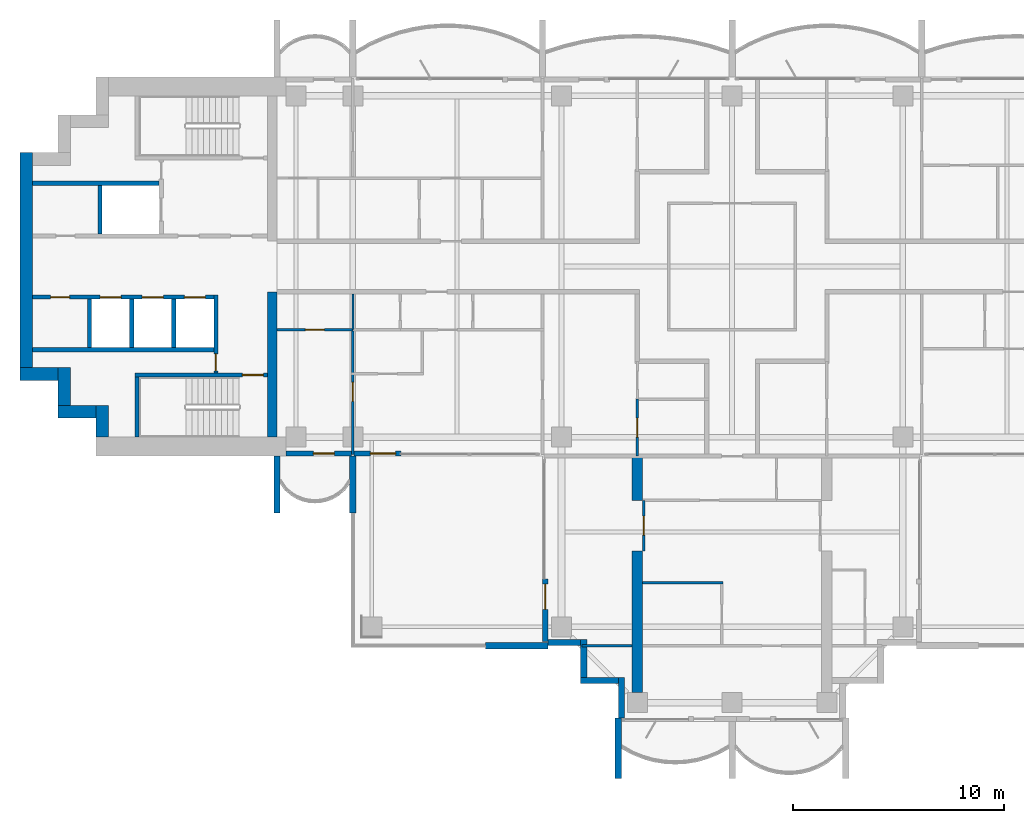
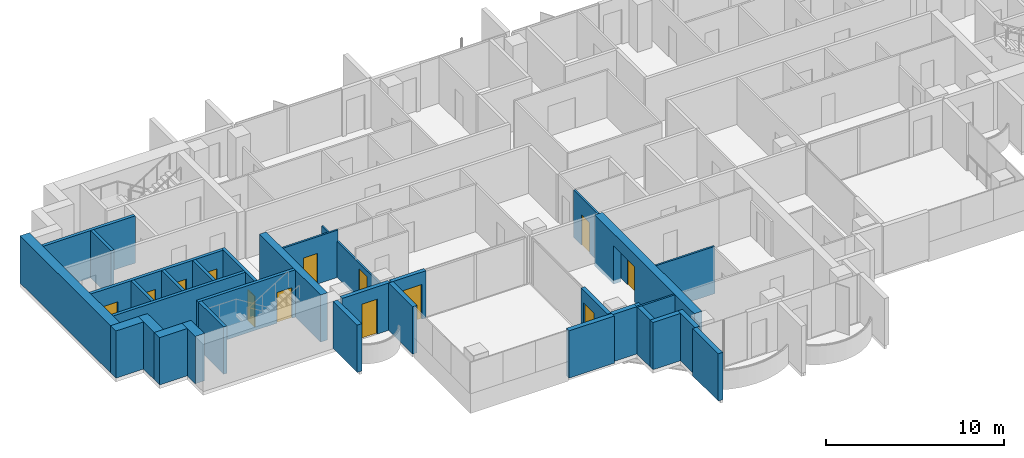
# One storey, part 8 of 17: 35 walls, 13 doors, 13 openings.
"""IFC4 building model written with IfcOpenShell, lengths in metres."""

from ifc_helpers import new_model, si_unit, direction, frame, frame_2d, origin, place, context, subcontext, project, spatial, polyline, rectangle, outline, extrude, material, layer, layer_set, material_profile, profile_set, type_object, element, fill, save


model = new_model("IFC4")

# Units and contexts
model_context = context("Model", 3, precision=1e-05, world=origin(), true_north=direction((0.0, 1.0)))
body_context = subcontext(model_context, "Body", "Model", "MODEL_VIEW")
ifc_project = project(units=[si_unit("LENGTHUNIT", "METRE"), si_unit("AREAUNIT", "SQUARE_METRE"), si_unit("VOLUMEUNIT", "CUBIC_METRE"), si_unit("PLANEANGLEUNIT", "RADIAN"), si_unit("MASSUNIT", "GRAM", prefix="KILO")], contexts=[model_context])

# Site, building, storey
site_placement = place(None, origin())
site = spatial("IfcSite", under=ifc_project, at=site_placement, CompositionType="ELEMENT")
building_placement = place(site_placement, origin())
building = spatial("IfcBuilding", under=site, at=building_placement, Name="Perihelion Cross Residences", CompositionType="ELEMENT")
storey_placement = place(building_placement, frame((0.0, 0.0, 201.60009765625)))
storey = spatial("IfcBuildingStorey", under=building, at=storey_placement, Name="L50", CompositionType="ELEMENT", Elevation=201.60009765625)

# Wall, opening, door
ifc_material_1 = material(Name="Concrete C30/37, bronze-clad", Category="concrete")
ifc_layer_1 = layer(ifc_material_1, 0.25)
ifc_layer_set_1 = layer_set([ifc_layer_1], Name="Bronze-clad pier wall 250")
wall_type_1 = type_object("IfcWallType", Name="Bronze-clad pier wall 250", PredefinedType="SOLIDWALL", material=ifc_layer_set_1)
wall_1_placement = place(storey_placement, frame((-21.175048828125, -8.875, 0.0), z_axis=(0.0, 0.0, 1.0), x_axis=(1.0, 0.0, 0.0)))
wall_1 = element("IfcWall", 1, at=wall_1_placement, inside=storey, type_object=wall_type_1, Name="Wall FW1 L50 west side south bay 1 pier", PredefinedType="SOLIDWALL", context=body_context, shape_type="SweptSolid", body=[
    extrude(rectangle(XDim=3.114990234375, YDim=0.25, at=frame_2d((1.5576171875, 0.0))), origin(), (0.0, 0.0, 1.0), 3.25),
])
opening_1_placement = place(wall_1_placement, frame((1.300048828125, 0.0, 0.0)))
opening_1 = element("IfcOpeningElement", 2, at=opening_1_placement, cuts=wall_1, Name="Opening L50.E07", PredefinedType="OPENING", context=body_context, shape_type="SweptSolid", body=[
    extrude(rectangle(XDim=1.0, YDim=2.39990234375, at=frame_2d((0.5, 1.199951171875))), frame((0.0, 0.135009765625, 0.0), z_axis=(0.0, -1.0, 0.0), x_axis=(1.0, 0.0, 0.0)), (0.0, 0.0, 1.0), 0.27001953125),
])
ifc_material_2 = material(Name="Bronze anodised aluminium, glazed", Category="aluminium")
door_type_1 = type_object("IfcDoorType", Name="Balcony door 1000 x 2400", OperationType="NOTDEFINED", PredefinedType="DOOR", material=ifc_material_2)
door_1_placement = place(opening_1_placement, origin())
door_1 = element("IfcDoor", 3, at=door_1_placement, inside=storey, type_object=door_type_1, Name="Door L50.E07 west side south bay 1", OperationType="SINGLE_SWING_LEFT", OverallHeight=2.39990234375, OverallWidth=1.0, PredefinedType="DOOR", context=body_context, shape_type="SweptSolid", body=[
    extrude(rectangle(XDim=1.0, YDim=2.39990234375, at=frame_2d((0.5, 1.199951171875))), frame((0.0, 0.02490234375, 0.0), z_axis=(0.0, -1.0, 0.0), x_axis=(1.0, 0.0, 0.0)), (0.0, 0.0, 1.0), 0.050048828125),
])
fill(opening_1, door_1)

wall_2_placement = place(storey_placement, frame((-17.93994140625, -8.875, 0.0), z_axis=(0.0, 0.0, 1.0), x_axis=(1.0, 0.0, 0.0)))
wall_2 = element("IfcWall", 4, at=wall_2_placement, inside=storey, type_object=wall_type_1, Name="Wall FW1 L50 west side south bay 2 pier", PredefinedType="SOLIDWALL", context=body_context, shape_type="SweptSolid", body=[
    extrude(rectangle(XDim=2.21484375, YDim=0.25, at=frame_2d((1.107421875, 0.0))), origin(), (0.0, 0.0, 1.0), 3.25),
])
opening_2_placement = place(wall_2_placement, frame((0.764892578125, 0.0, 0.0)))
opening_2 = element("IfcOpeningElement", 5, at=opening_2_placement, cuts=wall_2, Name="Opening L50.E08", PredefinedType="OPENING", context=body_context, shape_type="SweptSolid", body=[
    extrude(rectangle(XDim=1.199951171875, YDim=2.39990234375, at=frame_2d((0.60009765625, 1.199951171875))), frame((0.0, 0.135009765625, 0.0), z_axis=(0.0, -1.0, 0.0), x_axis=(1.0, 0.0, 0.0)), (0.0, 0.0, 1.0), 0.27001953125),
])
ifc_material_3 = material(Name="Bronze anodised aluminium, glazed", Category="aluminium")
door_type_2 = type_object("IfcDoorType", Name="Balcony door 1200 x 2400", OperationType="NOTDEFINED", PredefinedType="DOOR", material=ifc_material_3)
door_2_placement = place(opening_2_placement, origin())
door_2 = element("IfcDoor", 6, at=door_2_placement, inside=storey, type_object=door_type_2, Name="Door L50.E08 west side south bay 2", OperationType="SINGLE_SWING_RIGHT", OverallHeight=2.39990234375, OverallWidth=1.199951171875, PredefinedType="DOOR", context=body_context, shape_type="SweptSolid", body=[
    extrude(rectangle(XDim=1.199951171875, YDim=2.39990234375, at=frame_2d((0.60009765625, 1.199951171875))), frame((0.0, 0.02490234375, 0.0), z_axis=(0.0, -1.0, 0.0), x_axis=(1.0, 0.0, 0.0)), (0.0, 0.0, 1.0), 0.050048828125),
])
fill(opening_2, door_2)

wall_3_placement = place(storey_placement, frame((-8.875, -14.824951171875, 0.0), z_axis=(0.0, 0.0, 1.0), x_axis=(0.0, -1.0, 0.0)))
wall_3 = element("IfcWall", 7, at=wall_3_placement, inside=storey, type_object=wall_type_1, Name="Wall FW1 L50 south side west bay 1 pier", PredefinedType="SOLIDWALL", context=body_context, shape_type="SweptSolid", body=[
    extrude(rectangle(XDim=2.97509765625, YDim=0.25, at=frame_2d((1.487548828125, 0.0))), origin(), (0.0, 0.0, 1.0), 3.25),
])
opening_3_placement = place(wall_3_placement, frame((0.25, 0.0, 0.0)))
opening_3 = element("IfcOpeningElement", 8, at=opening_3_placement, cuts=wall_3, Name="Opening L50.E09", PredefinedType="OPENING", context=body_context, shape_type="SweptSolid", body=[
    extrude(rectangle(XDim=1.199951171875, YDim=2.39990234375, at=frame_2d((0.60009765625, 1.199951171875))), frame((0.0, 0.135009765625, 0.0), z_axis=(0.0, -1.0, 0.0), x_axis=(1.0, 0.0, 0.0)), (0.0, 0.0, 1.0), 0.27001953125),
])
door_3_placement = place(opening_3_placement, origin())
door_3 = element("IfcDoor", 9, at=door_3_placement, inside=storey, type_object=door_type_2, Name="Door L50.E09 south side west bay 1", OperationType="SINGLE_SWING_LEFT", OverallHeight=2.39990234375, OverallWidth=1.199951171875, PredefinedType="DOOR", context=body_context, shape_type="SweptSolid", body=[
    extrude(rectangle(XDim=1.199951171875, YDim=2.39990234375, at=frame_2d((0.60009765625, 1.199951171875))), frame((0.0, 0.02490234375, 0.0), z_axis=(0.0, -1.0, 0.0), x_axis=(1.0, 0.0, 0.0)), (0.0, 0.0, 1.0), 0.050048828125),
])
fill(opening_3, door_3)

# Walls
ifc_material_4 = material(Name="Concrete C30/37, bronze-clad", Category="concrete")
ifc_layer_2 = layer(ifc_material_4, 0.300048828125)
ifc_layer_set_2 = layer_set([ifc_layer_2], Name="Bronze-clad serration wall 300")
wall_type_2 = type_object("IfcWallType", Name="Bronze-clad serration wall 300", PredefinedType="SOLIDWALL", material=ifc_layer_set_2)
wall_4_placement = place(storey_placement, frame((-8.75, -17.85009765625, 0.0), z_axis=(0.0, 0.0, 1.0), x_axis=(1.0, 0.0, 0.0)))
element("IfcWall", 10, at=wall_4_placement, inside=storey, type_object=wall_type_2, Name="Wall SR1 L50 south corner south-west 1", PredefinedType="SOLIDWALL", context=body_context, shape_type="SweptSolid", body=[
    extrude(rectangle(XDim=1.550048828125, YDim=0.300048828125, at=frame_2d((0.77490234375, 0.0))), origin(), (0.0, 0.0, 1.0), 3.25),
])
for number, where, z_axis, x_axis, name in (
    (11, (-7.050048828125, -17.699951171875, 0.0), (0.0, 0.0, 1.0), (0.0, -1.0, 0.0), "Wall SR1 L50 south corner south-west 2"),
    (12, (-7.199951171875, -19.64990234375, 0.0), (0.0, 0.0, 1.0), (1.0, 0.0, 0.0), "Wall SR1 L50 south corner south-west 3"),
):
    element("IfcWall", number, at=place(storey_placement, frame(where, z_axis=z_axis, x_axis=x_axis)), inside=storey, type_object=wall_type_2, Name=name, PredefinedType="SOLIDWALL", context=body_context, shape_type="SweptSolid", body=[
        extrude(rectangle(XDim=1.800048828125, YDim=0.300048828125, at=frame_2d((0.89990234375, 0.0))), origin(), (0.0, 0.0, 1.0), 3.25),
    ])
wall_5_placement = place(storey_placement, frame((-5.25, -19.5, 0.0), z_axis=(0.0, 0.0, 1.0), x_axis=(0.0, -1.0, 0.0)))
element("IfcWall", 13, at=wall_5_placement, inside=storey, type_object=wall_type_2, Name="Wall SR1 L50 south corner south-west 4", PredefinedType="SOLIDWALL", context=body_context, shape_type="SweptSolid", body=[
    extrude(rectangle(XDim=1.919921875, YDim=0.300048828125, at=frame_2d((0.9599609375, 0.0))), origin(), (0.0, 0.0, 1.0), 3.25),
])
ifc_material_5 = material(Name="Concrete C60/75", Category="concrete")
ifc_layer_3 = layer(ifc_material_5, 0.449951171875)
ifc_layer_set_3 = layer_set([ifc_layer_3], Name="Core wall, inner 450")
wall_type_3 = type_object("IfcWallType", Name="Core wall, inner 450", PredefinedType="SHEAR", material=ifc_layer_set_3)
wall_6_placement = place(storey_placement, frame((-21.824951171875, -8.10009765625, 0.0), z_axis=(0.0, 0.0, 1.0), x_axis=(0.0, 1.0, 0.0)))
element("IfcWall", 14, at=wall_6_placement, inside=storey, type_object=wall_type_3, Name="West core core wall, inner", PredefinedType="SHEAR", context=body_context, shape_type="SweptSolid", body=[
    extrude(rectangle(XDim=6.900146484375, YDim=0.449951171875, at=frame_2d((3.4501953125, 0.0))), origin(), (0.0, 0.0, 1.0), 3.25),
])
ifc_material_6 = material(Name="Concrete C60/75", Category="concrete")
ifc_layer_4 = layer(ifc_material_6, 0.60009765625)
ifc_layer_set_4 = layer_set([ifc_layer_4], Name="Core wall, outer 600")
wall_type_4 = type_object("IfcWallType", Name="Core wall, outer 600", PredefinedType="SHEAR", material=ifc_layer_set_4)
wall_7_placement = place(storey_placement, frame((-29.89990234375, -8.10009765625, 0.0), z_axis=(0.0, 0.0, 1.0), x_axis=(0.0, 1.0, 0.0)))
element("IfcWall", 15, at=wall_7_placement, inside=storey, type_object=wall_type_4, Name="West core core wall, outer", PredefinedType="SHEAR", context=body_context, shape_type="SweptSolid", body=[
    extrude(rectangle(XDim=1.5, YDim=0.60009765625, at=frame_2d((0.75, 0.0))), origin(), (0.0, 0.0, 1.0), 3.25),
])
for number, where, z_axis, x_axis, name in (
    (16, (-32.0, -6.89990234375, 0.0), (0.0, 0.0, 1.0), (1.0, 0.0, 0.0), "West core core wall, outer"),
    (17, (-31.699951171875, -6.60009765625, 0.0), (0.0, 0.0, 1.0), (0.0, 1.0, 0.0), "West core core wall, outer"),
    (18, (-33.800048828125, -5.10009765625, 0.0), (0.0, 0.0, 1.0), (1.0, 0.0, 0.0), "West core core wall, outer"),
):
    element("IfcWall", number, at=place(storey_placement, frame(where, z_axis=z_axis, x_axis=x_axis)), inside=storey, type_object=wall_type_4, Name=name, PredefinedType="SHEAR", context=body_context, shape_type="SweptSolid", body=[
        extrude(rectangle(XDim=1.800048828125, YDim=0.60009765625, at=frame_2d((0.89990234375, 0.0))), origin(), (0.0, 0.0, 1.0), 3.25),
    ])
wall_8_placement = place(storey_placement, frame((-33.5, -4.800048828125, 0.0), z_axis=(0.0, 0.0, 1.0), x_axis=(0.0, 1.0, 0.0)))
element("IfcWall", 19, at=wall_8_placement, inside=storey, type_object=wall_type_4, Name="West core core wall, outer", PredefinedType="SHEAR", context=body_context, shape_type="SweptSolid", body=[
    extrude(rectangle(XDim=10.199951171875, YDim=0.60009765625, at=frame_2d((5.10009765625, 0.0))), origin(), (0.0, 0.0, 1.0), 3.25),
])

# Wall, opening, door
ifc_material_7 = material(Name="Plasterboard partition")
ifc_layer_5 = layer(ifc_material_7, 0.1201171875)
ifc_layer_set_5 = layer_set([ifc_layer_5], Name="Infill panel 120")
wall_type_5 = type_object("IfcWallType", Name="Infill panel 120", PredefinedType="PARTITIONING", material=ifc_layer_set_5)
wall_9_placement = place(storey_placement, frame((-4.18994140625, -11.10009765625, 0.0), z_axis=(0.0, 0.0, 1.0), x_axis=(0.0, -1.0, 0.0)))
wall_9 = element("IfcWall", 20, at=wall_9_placement, inside=storey, type_object=wall_type_5, Name="Partition L50 WI02", PredefinedType="PARTITIONING", context=body_context, shape_type="SweptSolid", body=[
    extrude(rectangle(XDim=2.39990234375, YDim=0.1201171875, at=frame_2d((1.199951171875, 0.0))), origin(), (0.0, 0.0, 1.0), 2.39990234375),
])
opening_4_placement = place(wall_9_placement, frame((0.75, 0.0, 0.0)))
opening_4 = element("IfcOpeningElement", 21, at=opening_4_placement, cuts=wall_9, Name="Opening L50.A43", PredefinedType="OPENING", context=body_context, shape_type="SweptSolid", body=[
    extrude(rectangle(XDim=0.89990234375, YDim=2.10009765625, at=frame_2d((0.449951171875, 1.050048828125))), frame((0.0, 0.070068359375, 0.0), z_axis=(0.0, -1.0, 0.0), x_axis=(1.0, 0.0, 0.0)), (0.0, 0.0, 1.0), 0.14013671875),
])
ifc_material_8 = material(Name="Timber door leaf", Category="wood")
door_type_3 = type_object("IfcDoorType", Name="Interior room door 900 x 2100", OperationType="SINGLE_SWING_LEFT", PredefinedType="DOOR", material=ifc_material_8)
door_4_placement = place(opening_4_placement, origin())
door_4 = element("IfcDoor", 22, at=door_4_placement, inside=storey, type_object=door_type_3, Name="Door L50.A43", OperationType="SINGLE_SWING_LEFT", OverallHeight=2.10009765625, OverallWidth=0.89990234375, PredefinedType="DOOR", context=body_context, shape_type="SweptSolid", body=[
    extrude(rectangle(XDim=0.89990234375, YDim=2.10009765625, at=frame_2d((0.449951171875, 1.050048828125))), frame((0.0, 0.02490234375, 0.0), z_axis=(0.0, -1.0, 0.0), x_axis=(1.0, 0.0, 0.0)), (0.0, 0.0, 1.0), 0.050048828125),
])
fill(opening_4, door_4)

ifc_material_9 = material(Name="Concrete C50/60", Category="concrete")
ifc_layer_6 = layer(ifc_material_9, 0.199951171875)
ifc_layer_set_6 = layer_set([ifc_layer_6], Name="Lobby wall 200")
wall_type_6 = type_object("IfcWallType", Name="Lobby wall 200", PredefinedType="SOLIDWALL", material=ifc_layer_set_6)
wall_10_placement = place(storey_placement, frame((-24.5, -5.050048828125, 0.0), z_axis=(0.0, 0.0, 1.0), x_axis=(0.0, 1.0, 0.0)))
wall_10 = element("IfcWall", 23, at=wall_10_placement, inside=storey, type_object=wall_type_6, Name="West core lobby wall", PredefinedType="SOLIDWALL", context=body_context, shape_type="SweptSolid", body=[
    extrude(rectangle(XDim=3.699951171875, YDim=0.199951171875, at=frame_2d((1.85009765625, 0.0))), origin(), (0.0, 0.0, 1.0), 3.25),
])
opening_5_placement = place(wall_10_placement, frame((0.10009765625, 0.0, 0.0)))
opening_5 = element("IfcOpeningElement", 24, at=opening_5_placement, cuts=wall_10, Name="Opening L50.C20", PredefinedType="OPENING", context=body_context, shape_type="SweptSolid", body=[
    extrude(rectangle(XDim=0.800048828125, YDim=2.10009765625, at=frame_2d((0.39990234375, 1.050048828125))), frame((0.0, 0.10986328125, 0.0), z_axis=(0.0, -1.0, 0.0), x_axis=(1.0, 0.0, 0.0)), (0.0, 0.0, 1.0), 0.219970703125),
])
ifc_material_10 = material(Name="Steel, powder coated", Category="steel")
door_type_4 = type_object("IfcDoorType", Name="Riser door 800", OperationType="SINGLE_SWING_LEFT", PredefinedType="DOOR", material=ifc_material_10)
door_5_placement = place(opening_5_placement, origin())
door_5 = element("IfcDoor", 25, at=door_5_placement, inside=storey, type_object=door_type_4, Name="West core riser door", OperationType="SINGLE_SWING_LEFT", OverallHeight=2.10009765625, OverallWidth=0.800048828125, PredefinedType="DOOR", context=body_context, shape_type="SweptSolid", body=[
    extrude(rectangle(XDim=0.800048828125, YDim=2.10009765625, at=frame_2d((0.39990234375, 1.050048828125))), frame((0.0, 0.02490234375, 0.0), z_axis=(0.0, -1.0, 0.0), x_axis=(1.0, 0.0, 0.0)), (0.0, 0.0, 1.0), 0.050048828125),
])
fill(opening_5, door_5)

ifc_material_11 = material(Name="Plasterboard partition")
ifc_layer_7 = layer(ifc_material_11, 0.1201171875)
ifc_layer_set_7 = layer_set([ifc_layer_7], Name="Partition wall 120")
wall_type_7 = type_object("IfcWallType", Name="Partition wall 120", PredefinedType="PARTITIONING", material=ifc_layer_set_7)
wall_11_placement = place(storey_placement, frame((-18.0, -3.0, 0.0), z_axis=(0.0, 0.0, 1.0), x_axis=(-1.0, 0.0, 0.0)))
wall_11 = element("IfcWall", 26, at=wall_11_placement, inside=storey, type_object=wall_type_7, Name="Partition L50 W052", PredefinedType="PARTITIONING", context=body_context, shape_type="SweptSolid", body=[
    extrude(rectangle(XDim=3.60009765625, YDim=0.1201171875, at=frame_2d((1.800048828125, 0.0))), origin(), (0.0, 0.0, 1.0), 3.25),
])
opening_6_placement = place(wall_11_placement, frame((1.35009765625, 0.0, 0.0)))
opening_6 = element("IfcOpeningElement", 27, at=opening_6_placement, cuts=wall_11, Name="Opening L50.A29", PredefinedType="OPENING", context=body_context, shape_type="SweptSolid", body=[
    extrude(rectangle(XDim=0.89990234375, YDim=2.10009765625, at=frame_2d((0.449951171875, 1.050048828125))), frame((0.0, 0.070068359375, 0.0), z_axis=(0.0, -1.0, 0.0), x_axis=(1.0, 0.0, 0.0)), (0.0, 0.0, 1.0), 0.14013671875),
])
door_6_placement = place(opening_6_placement, origin())
door_6 = element("IfcDoor", 28, at=door_6_placement, inside=storey, type_object=door_type_3, Name="Door L50.A29", OperationType="SINGLE_SWING_LEFT", OverallHeight=2.10009765625, OverallWidth=0.89990234375, PredefinedType="DOOR", context=body_context, shape_type="SweptSolid", body=[
    extrude(rectangle(XDim=0.89990234375, YDim=2.10009765625, at=frame_2d((0.449951171875, 1.050048828125))), frame((0.0, 0.02490234375, 0.0), z_axis=(0.0, -1.0, 0.0), x_axis=(1.0, 0.0, 0.0)), (0.0, 0.0, 1.0), 0.050048828125),
])
fill(opening_6, door_6)

wall_12_placement = place(storey_placement, frame((-18.0, -8.919921875, 0.0), z_axis=(0.0, 0.0, 1.0), x_axis=(0.0, 1.0, 0.0)))
wall_12 = element("IfcWall", 29, at=wall_12_placement, inside=storey, type_object=wall_type_7, Name="Partition L50 W055", PredefinedType="PARTITIONING", context=body_context, shape_type="SweptSolid", body=[
    extrude(rectangle(XDim=5.919921875, YDim=0.1201171875, at=frame_2d((2.9599609375, 0.0))), origin(), (0.0, 0.0, 1.0), 2.47998046875),
])
opening_7_placement = place(wall_12_placement, frame((2.52001953125, 0.0, 0.0)))
opening_7 = element("IfcOpeningElement", 30, at=opening_7_placement, cuts=wall_12, Name="Opening L50.A23", PredefinedType="OPENING", context=body_context, shape_type="SweptSolid", body=[
    extrude(rectangle(XDim=0.89990234375, YDim=2.10009765625, at=frame_2d((0.449951171875, 1.050048828125))), frame((0.0, 0.070068359375, 0.0), z_axis=(0.0, -1.0, 0.0), x_axis=(1.0, 0.0, 0.0)), (0.0, 0.0, 1.0), 0.14013671875),
])
door_7_placement = place(opening_7_placement, origin())
door_7 = element("IfcDoor", 31, at=door_7_placement, inside=storey, type_object=door_type_3, Name="Door L50.A23", OperationType="SINGLE_SWING_RIGHT", OverallHeight=2.10009765625, OverallWidth=0.89990234375, PredefinedType="DOOR", context=body_context, shape_type="SweptSolid", body=[
    extrude(rectangle(XDim=0.89990234375, YDim=2.10009765625, at=frame_2d((0.449951171875, 1.050048828125))), frame((0.0, 0.02490234375, 0.0), z_axis=(0.0, -1.0, 0.0), x_axis=(1.0, 0.0, 0.0)), (0.0, 0.0, 1.0), 0.050048828125),
])
fill(opening_7, door_7)

wall_13_placement = place(storey_placement, frame((-4.5, -6.300048828125, 0.0), z_axis=(0.0, 0.0, 1.0), x_axis=(0.0, -1.0, 0.0)))
wall_13 = element("IfcWall", 32, at=wall_13_placement, inside=storey, type_object=wall_type_7, Name="Partition L50 W057", PredefinedType="PARTITIONING", context=body_context, shape_type="SweptSolid", body=[
    extrude(rectangle(XDim=2.699951171875, YDim=0.1201171875, at=frame_2d((1.35009765625, 0.0))), origin(), (0.0, 0.0, 1.0), 3.25),
])
opening_8_placement = place(wall_13_placement, frame((0.89990234375, 0.0, 0.0)))
opening_8 = element("IfcOpeningElement", 33, at=opening_8_placement, cuts=wall_13, Name="Opening L50.A28", PredefinedType="OPENING", context=body_context, shape_type="SweptSolid", body=[
    extrude(rectangle(XDim=0.89990234375, YDim=2.10009765625, at=frame_2d((0.449951171875, 1.050048828125))), frame((0.0, 0.070068359375, 0.0), z_axis=(0.0, -1.0, 0.0), x_axis=(1.0, 0.0, 0.0)), (0.0, 0.0, 1.0), 0.14013671875),
])
door_8_placement = place(opening_8_placement, origin())
door_8 = element("IfcDoor", 34, at=door_8_placement, inside=storey, type_object=door_type_3, Name="Door L50.A28", OperationType="SINGLE_SWING_LEFT", OverallHeight=2.10009765625, OverallWidth=0.89990234375, PredefinedType="DOOR", context=body_context, shape_type="SweptSolid", body=[
    extrude(rectangle(XDim=0.89990234375, YDim=2.10009765625, at=frame_2d((0.449951171875, 1.050048828125))), frame((0.0, 0.02490234375, 0.0), z_axis=(0.0, -1.0, 0.0), x_axis=(1.0, 0.0, 0.0)), (0.0, 0.0, 1.0), 0.050048828125),
])
fill(opening_8, door_8)

# Walls
wall_14_placement = place(storey_placement, frame((-0.43994140625, -15.0, 0.0), z_axis=(0.0, 0.0, 1.0), x_axis=(-1.0, 0.0, 0.0)))
element("IfcWall", 35, at=wall_14_placement, inside=storey, type_object=wall_type_7, Name="Partition L50 W063", PredefinedType="PARTITIONING", context=body_context, shape_type="SweptSolid", body=[
    extrude(rectangle(XDim=3.81005859375, YDim=0.1201171875, at=frame_2d((1.905029296875, 0.0))), origin(), (0.0, 0.0, 1.0), 3.25),
])
wall_15_placement = place(storey_placement, frame((-4.75, -18.0, 0.0), z_axis=(0.0, 0.0, 1.0), x_axis=(-1.0, 0.0, 0.0)))
element("IfcWall", 36, at=wall_15_placement, inside=storey, type_object=wall_type_7, Name="Partition L50 W069", PredefinedType="PARTITIONING", context=body_context, shape_type="SweptSolid", body=[
    extrude(rectangle(XDim=2.3701171875, YDim=0.1201171875, at=frame_2d((1.18505859375, 0.0))), origin(), (0.0, 0.0, 1.0), 3.25),
])
ifc_material_12 = material(Name="Precast concrete C50/60", Category="concrete")
ifc_layer_8 = layer(ifc_material_12, 0.300048828125)
ifc_layer_set_8 = layer_set([ifc_layer_8], Name="Precast concrete C50/60 blade wall 300")
wall_type_8 = type_object("IfcWallType", Name="Precast concrete C50/60 blade wall 300", PredefinedType="SOLIDWALL", material=ifc_layer_set_8)
for number, where, z_axis, x_axis, name in (
    (37, (-21.60009765625, -9.0, 0.0), (0.0, 0.0, 1.0), (0.0, -1.0, 0.0), "Wall BL1 L50 no. 3"),
    (38, (-18.0, -9.0, 0.0), (0.0, 0.0, 1.0), (0.0, -1.0, 0.0), "Wall BL1 L50 no. 1"),
):
    element("IfcWall", number, at=place(storey_placement, frame(where, z_axis=z_axis, x_axis=x_axis)), inside=storey, type_object=wall_type_8, Name=name, PredefinedType="SOLIDWALL", context=body_context, shape_type="SweptSolid", body=[
        extrude(rectangle(XDim=2.699951171875, YDim=0.300048828125, at=frame_2d((1.35009765625, 0.0))), origin(), (0.0, 0.0, 1.0), 3.25),
    ])
wall_16_placement = place(storey_placement, frame((-8.75, -18.0, 0.0), z_axis=(0.0, 0.0, 1.0), x_axis=(-1.0, 0.0, 0.0)))
element("IfcWall", 39, at=wall_16_placement, inside=storey, type_object=wall_type_8, Name="Wall BL1 L50 no. 6", PredefinedType="SOLIDWALL", context=body_context, shape_type="SweptSolid", body=[
    extrude(rectangle(XDim=2.949951171875, YDim=0.300048828125, at=frame_2d((1.47509765625, 0.0))), origin(), (0.0, 0.0, 1.0), 3.25),
])
wall_17_placement = place(storey_placement, frame((-5.39990234375, -21.419921875, 0.0), z_axis=(0.0, 0.0, 1.0), x_axis=(0.0, -1.0, 0.0)))
element("IfcWall", 40, at=wall_17_placement, inside=storey, type_object=wall_type_8, Name="Wall BL1 L50 no. 5", PredefinedType="SOLIDWALL", context=body_context, shape_type="SweptSolid", body=[
    extrude(rectangle(XDim=2.880126953125, YDim=0.300048828125, at=frame_2d((1.43994140625, 0.0))), origin(), (0.0, 0.0, 1.0), 3.25),
])

# Wall, openings, doors
ifc_material_13 = material(Name="Concrete C50/60", Category="concrete")
ifc_layer_9 = layer(ifc_material_13, 0.199951171875)
ifc_layer_set_9 = layer_set([ifc_layer_9], Name="Shaft wall 200")
wall_type_9 = type_object("IfcWallType", Name="Shaft wall 200", PredefinedType="SOLIDWALL", material=ifc_layer_set_9)
wall_18_placement = place(storey_placement, frame((-33.199951171875, -1.449951171875, 0.0), z_axis=(0.0, 0.0, 1.0), x_axis=(1.0, 0.0, 0.0)))
wall_18 = element("IfcWall", 41, at=wall_18_placement, inside=storey, type_object=wall_type_9, Name="West core shaft wall", PredefinedType="SOLIDWALL", context=body_context, shape_type="SweptSolid", body=[
    extrude(rectangle(XDim=8.599853515625, YDim=0.199951171875, at=frame_2d((4.2998046875, 0.0))), origin(), (0.0, 0.0, 1.0), 3.25),
])
opening_9_placement = place(wall_18_placement, frame((7.199951171875, 0.0, 0.0)))
opening_9 = element("IfcOpeningElement", 42, at=opening_9_placement, cuts=wall_18, Name="Opening L50.C13", PredefinedType="OPENING", context=body_context, shape_type="SweptSolid", body=[
    extrude(rectangle(XDim=1.0, YDim=2.10009765625, at=frame_2d((0.5, 1.050048828125))), frame((0.0, 0.10986328125, 0.0), z_axis=(0.0, -1.0, 0.0), x_axis=(1.0, 0.0, 0.0)), (0.0, 0.0, 1.0), 0.219970703125),
])
opening_10_placement = place(wall_18_placement, frame((5.199951171875, 0.0, 0.0)))
opening_10 = element("IfcOpeningElement", 43, at=opening_10_placement, cuts=wall_18, Name="Opening L50.C15", PredefinedType="OPENING", context=body_context, shape_type="SweptSolid", body=[
    extrude(rectangle(XDim=1.0, YDim=2.10009765625, at=frame_2d((0.5, 1.050048828125))), frame((0.0, 0.10986328125, 0.0), z_axis=(0.0, -1.0, 0.0), x_axis=(1.0, 0.0, 0.0)), (0.0, 0.0, 1.0), 0.219970703125),
])
opening_11_placement = place(wall_18_placement, frame((3.199951171875, 0.0, 0.0)))
opening_11 = element("IfcOpeningElement", 44, at=opening_11_placement, cuts=wall_18, Name="Opening L50.C16", PredefinedType="OPENING", context=body_context, shape_type="SweptSolid", body=[
    extrude(rectangle(XDim=1.0, YDim=2.10009765625, at=frame_2d((0.5, 1.050048828125))), frame((0.0, 0.10986328125, 0.0), z_axis=(0.0, -1.0, 0.0), x_axis=(1.0, 0.0, 0.0)), (0.0, 0.0, 1.0), 0.219970703125),
])
opening_12_placement = place(wall_18_placement, frame((0.85009765625, 0.0, 0.0)))
opening_12 = element("IfcOpeningElement", 45, at=opening_12_placement, cuts=wall_18, Name="Opening L50.C24", PredefinedType="OPENING", context=body_context, shape_type="SweptSolid", body=[
    extrude(rectangle(XDim=0.89990234375, YDim=2.10009765625, at=frame_2d((0.449951171875, 1.050048828125))), frame((0.0, 0.10986328125, 0.0), z_axis=(0.0, -1.0, 0.0), x_axis=(1.0, 0.0, 0.0)), (0.0, 0.0, 1.0), 0.219970703125),
])
ifc_material_14 = material(Name="Stainless steel", Category="steel")
door_type_5 = type_object("IfcDoorType", Name="Landing door 1000", OperationType="DOUBLE_DOOR_SLIDING", PredefinedType="DOOR", material=ifc_material_14)
door_9_placement = place(opening_9_placement, origin())
door_9 = element("IfcDoor", 46, at=door_9_placement, inside=storey, type_object=door_type_5, Name="Landing door, West core high-rise lift 1", OperationType="DOUBLE_DOOR_SLIDING", OverallHeight=2.10009765625, OverallWidth=1.0, PredefinedType="DOOR", context=body_context, shape_type="SweptSolid", body=[
    extrude(rectangle(XDim=1.0, YDim=2.10009765625, at=frame_2d((0.5, 1.050048828125))), frame((0.0, 0.02490234375, 0.0), z_axis=(0.0, -1.0, 0.0), x_axis=(1.0, 0.0, 0.0)), (0.0, 0.0, 1.0), 0.050048828125),
])
fill(opening_9, door_9)
door_10_placement = place(opening_10_placement, origin())
door_10 = element("IfcDoor", 47, at=door_10_placement, inside=storey, type_object=door_type_5, Name="Landing door, West core high-rise lift 2", OperationType="DOUBLE_DOOR_SLIDING", OverallHeight=2.10009765625, OverallWidth=1.0, PredefinedType="DOOR", context=body_context, shape_type="SweptSolid", body=[
    extrude(rectangle(XDim=1.0, YDim=2.10009765625, at=frame_2d((0.5, 1.050048828125))), frame((0.0, 0.02490234375, 0.0), z_axis=(0.0, -1.0, 0.0), x_axis=(1.0, 0.0, 0.0)), (0.0, 0.0, 1.0), 0.050048828125),
])
fill(opening_10, door_10)
door_11_placement = place(opening_11_placement, origin())
door_11 = element("IfcDoor", 48, at=door_11_placement, inside=storey, type_object=door_type_5, Name="Landing door, West core high-rise lift 3", OperationType="DOUBLE_DOOR_SLIDING", OverallHeight=2.10009765625, OverallWidth=1.0, PredefinedType="DOOR", context=body_context, shape_type="SweptSolid", body=[
    extrude(rectangle(XDim=1.0, YDim=2.10009765625, at=frame_2d((0.5, 1.050048828125))), frame((0.0, 0.02490234375, 0.0), z_axis=(0.0, -1.0, 0.0), x_axis=(1.0, 0.0, 0.0)), (0.0, 0.0, 1.0), 0.050048828125),
])
fill(opening_11, door_11)
ifc_material_15 = material(Name="Steel, powder coated", Category="steel")
door_type_6 = type_object("IfcDoorType", Name="Service room door 900", OperationType="SINGLE_SWING_LEFT", PredefinedType="DOOR", material=ifc_material_15)
door_12_placement = place(opening_12_placement, origin())
door_12 = element("IfcDoor", 49, at=door_12_placement, inside=storey, type_object=door_type_6, Name="West core service room door", OperationType="SINGLE_SWING_LEFT", OverallHeight=2.10009765625, OverallWidth=0.89990234375, PredefinedType="DOOR", context=body_context, shape_type="SweptSolid", body=[
    extrude(rectangle(XDim=0.89990234375, YDim=2.10009765625, at=frame_2d((0.449951171875, 1.050048828125))), frame((0.0, 0.02490234375, 0.0), z_axis=(0.0, -1.0, 0.0), x_axis=(1.0, 0.0, 0.0)), (0.0, 0.0, 1.0), 0.050048828125),
])
fill(opening_12, door_12)

# Walls
wall_19_placement = place(storey_placement, frame((-33.199951171875, 3.949951171875, 0.0), z_axis=(0.0, 0.0, 1.0), x_axis=(1.0, 0.0, 0.0)))
element("IfcWall", 50, at=wall_19_placement, inside=storey, type_object=wall_type_9, Name="West core shaft wall", PredefinedType="SOLIDWALL", context=body_context, shape_type="SweptSolid", body=[
    extrude(rectangle(XDim=6.0, YDim=0.199951171875, at=frame_2d((3.0, 0.0))), origin(), (0.0, 0.0, 1.0), 3.25),
])
wall_20_placement = place(storey_placement, frame((-33.199951171875, -3.949951171875, 0.0), z_axis=(0.0, 0.0, 1.0), x_axis=(1.0, 0.0, 0.0)))
element("IfcWall", 51, at=wall_20_placement, inside=storey, type_object=wall_type_9, Name="West core shaft wall", PredefinedType="SOLIDWALL", context=body_context, shape_type="SweptSolid", body=[
    extrude(rectangle(XDim=8.599853515625, YDim=0.199951171875, at=frame_2d((4.2998046875, 0.0))), origin(), (0.0, 0.0, 1.0), 3.25),
])
for number, where, z_axis, x_axis, name in (
    (52, (-30.0, 1.550048828125, 0.0), (0.0, 0.0, 1.0), (0.0, 1.0, 0.0), "West core shaft wall"),
    (53, (-26.5, -3.85009765625, 0.0), (0.0, 0.0, 1.0), (0.0, 1.0, 0.0), "West core shaft wall"),
    (54, (-28.5, -3.85009765625, 0.0), (0.0, 0.0, 1.0), (0.0, 1.0, 0.0), "West core shaft wall"),
    (55, (-30.5, -3.85009765625, 0.0), (0.0, 0.0, 1.0), (0.0, 1.0, 0.0), "West core shaft wall"),
):
    element("IfcWall", number, at=place(storey_placement, frame(where, z_axis=z_axis, x_axis=x_axis)), inside=storey, type_object=wall_type_9, Name=name, PredefinedType="SOLIDWALL", context=body_context, shape_type="SweptSolid", body=[
        extrude(rectangle(XDim=2.300048828125, YDim=0.199951171875, at=frame_2d((1.14990234375, 0.0))), origin(), (0.0, 0.0, 1.0), 3.25),
    ])

# Wall, opening, door
ifc_material_16 = material(Name="Concrete C50/60", Category="concrete")
ifc_layer_10 = layer(ifc_material_16, 0.199951171875)
ifc_layer_set_10 = layer_set([ifc_layer_10], Name="Stair wall 200")
wall_type_10 = type_object("IfcWallType", Name="Stair wall 200", PredefinedType="SOLIDWALL", material=ifc_layer_set_10)
wall_21_placement = place(storey_placement, frame((-28.35009765625, -5.14990234375, 0.0), z_axis=(0.0, 0.0, 1.0), x_axis=(1.0, 0.0, 0.0)))
wall_21 = element("IfcWall", 56, at=wall_21_placement, inside=storey, type_object=wall_type_10, Name="West core stair wall", PredefinedType="SOLIDWALL", context=body_context, shape_type="SweptSolid", body=[
    extrude(rectangle(XDim=6.300048828125, YDim=0.199951171875, at=frame_2d((3.14990234375, 0.0))), origin(), (0.0, 0.0, 1.0), 3.25),
])
opening_13_placement = place(wall_21_placement, frame((5.10009765625, 0.0, 0.0)))
opening_13 = element("IfcOpeningElement", 57, at=opening_13_placement, cuts=wall_21, Name="Opening L50.C17", PredefinedType="OPENING", context=body_context, shape_type="SweptSolid", body=[
    extrude(rectangle(XDim=1.0, YDim=2.10009765625, at=frame_2d((0.5, 1.050048828125))), frame((0.0, 0.10986328125, 0.0), z_axis=(0.0, -1.0, 0.0), x_axis=(1.0, 0.0, 0.0)), (0.0, 0.0, 1.0), 0.219970703125),
])
ifc_material_17 = material(Name="Steel, powder coated", Category="steel")
door_type_7 = type_object("IfcDoorType", Name="Stair door 1000", OperationType="SINGLE_SWING_LEFT", PredefinedType="DOOR", material=ifc_material_17)
door_13_placement = place(opening_13_placement, origin())
door_13 = element("IfcDoor", 58, at=door_13_placement, inside=storey, type_object=door_type_7, Name="West core stair door", OperationType="SINGLE_SWING_LEFT", OverallHeight=2.10009765625, OverallWidth=1.0, PredefinedType="DOOR", context=body_context, shape_type="SweptSolid", body=[
    extrude(rectangle(XDim=1.0, YDim=2.10009765625, at=frame_2d((0.5, 1.050048828125))), frame((0.0, 0.02490234375, 0.0), z_axis=(0.0, -1.0, 0.0), x_axis=(1.0, 0.0, 0.0)), (0.0, 0.0, 1.0), 0.050048828125),
])
fill(opening_13, door_13)

# Walls
wall_22_placement = place(storey_placement, frame((-28.25, -8.10009765625, 0.0), z_axis=(0.0, 0.0, 1.0), x_axis=(0.0, 1.0, 0.0)))
element("IfcWall", 59, at=wall_22_placement, inside=storey, type_object=wall_type_10, Name="West core stair wall", PredefinedType="SOLIDWALL", context=body_context, shape_type="SweptSolid", body=[
    extrude(rectangle(XDim=2.85009765625, YDim=0.199951171875, at=frame_2d((1.425048828125, 0.0))), origin(), (0.0, 0.0, 1.0), 3.25),
])
ifc_material_18 = material(Name="Concrete C60/75", Category="concrete")
ifc_material_profile = material_profile(ifc_material_18, outline(polyline([(0.0, 0.0), (6.72509765625, 0.0), (6.72509765625, 2.64990234375), (9.125, 2.64990234375), (9.125, 0.0), (11.22509765625, 0.0), (11.22509765625, 3.5), (0.0, 3.5), (0.0, 0.0)])), Name="Tip spine wall")
ifc_profile_set = profile_set([ifc_material_profile], Name="Concrete C60/75")
wall_type_11 = type_object("IfcWallType", Name="Tip spine wall 500 with 1 door openings 11225 long 3500 high concrete C60/75", PredefinedType="SHEAR", material=ifc_profile_set)
wall_23_placement = place(storey_placement, frame((-4.75, -20.22509765625, -0.25), z_axis=(1.0, 0.0, 0.0), x_axis=(0.0, 1.0, 0.0)))
element("IfcWall", 60, at=wall_23_placement, inside=storey, type_object=wall_type_11, Name="Shear wall SW41 L50 south west", PredefinedType="SHEAR", context=body_context, shape_type="SweptSolid", body=[
    extrude(outline(polyline([(0.0, 0.0), (6.72509765625, 0.0), (6.72509765625, 2.64990234375), (9.125, 2.64990234375), (9.125, 0.0), (11.22509765625, 0.0), (11.22509765625, 3.5), (0.0, 3.5), (0.0, 0.0)])), origin(), (0.0, 0.0, 1.0), 0.5),
])
ifc_material_19 = material(Name="Plasterboard partition")
ifc_layer_11 = layer(ifc_material_19, 0.10009765625)
ifc_layer_set_11 = layer_set([ifc_layer_11], Name="Wet room wall 100")
wall_type_12 = type_object("IfcWallType", Name="Wet room wall 100", PredefinedType="PARTITIONING", material=ifc_layer_set_11)
wall_24_placement = place(storey_placement, frame((-18.0, -3.0, 0.0), z_axis=(0.0, 0.0, 1.0), x_axis=(0.0, 1.0, 0.0)))
element("IfcWall", 61, at=wall_24_placement, inside=storey, type_object=wall_type_12, Name="Partition L50 W050", PredefinedType="PARTITIONING", context=body_context, shape_type="SweptSolid", body=[
    extrude(rectangle(XDim=1.699951171875, YDim=0.10009765625, at=frame_2d((0.85009765625, 0.0))), origin(), (0.0, 0.0, 1.0), 2.47998046875),
])

save(model, "model.ifc")
